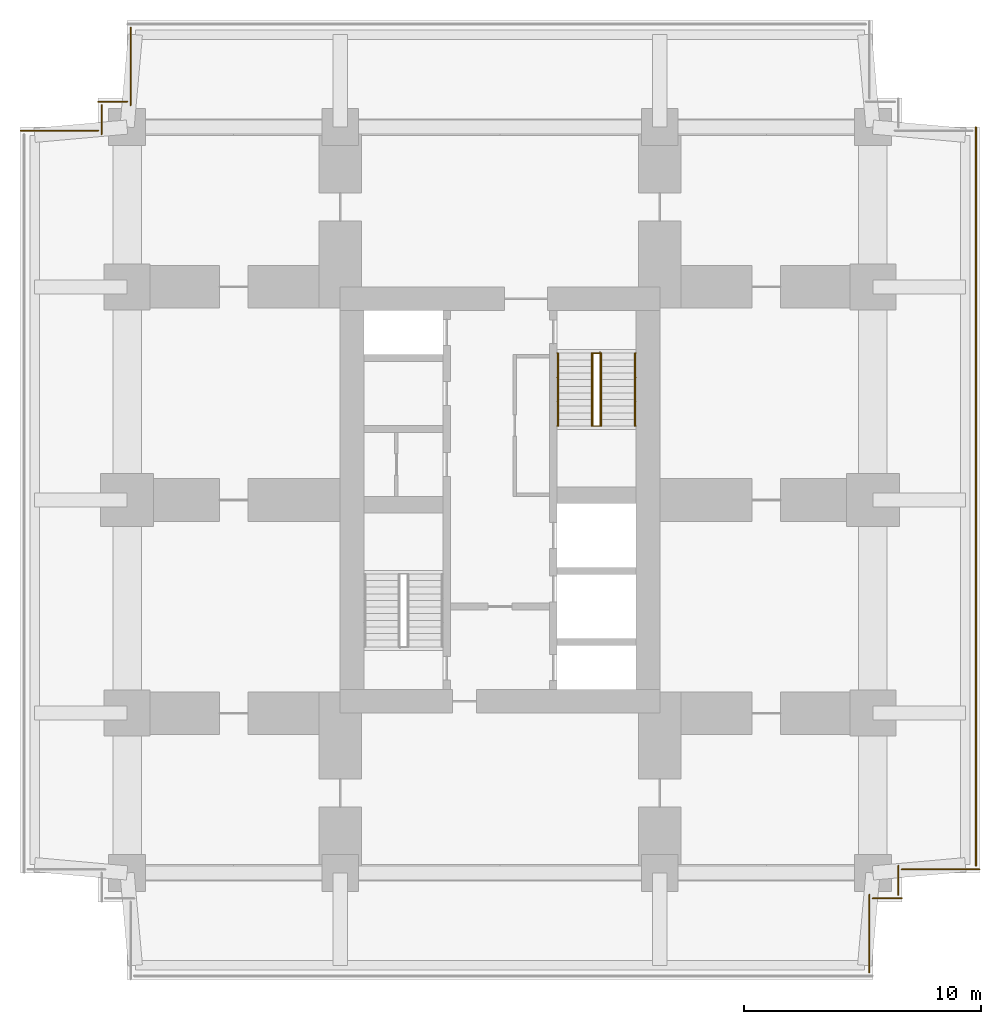
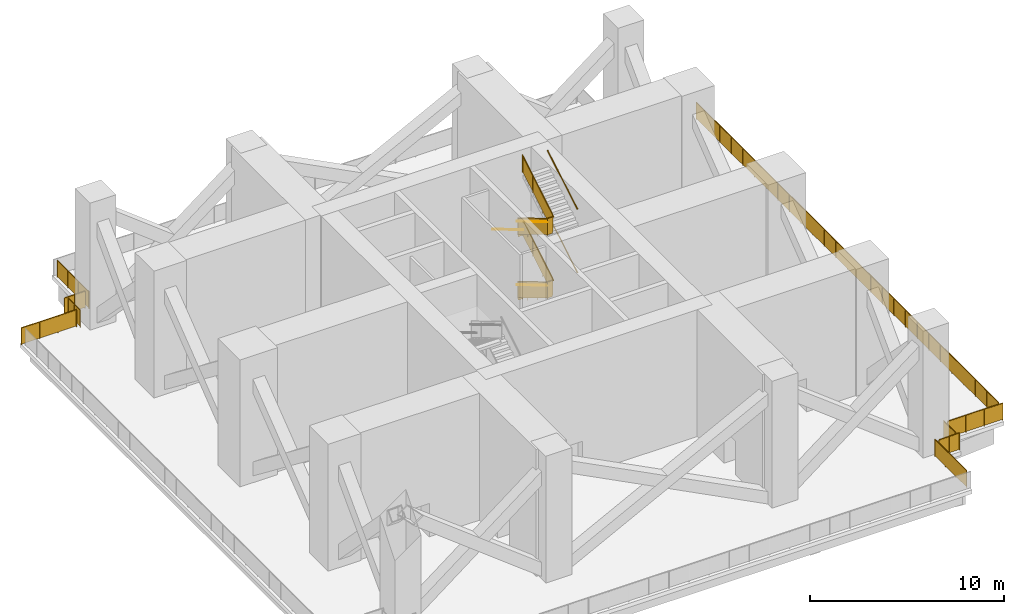
# One storey, part 5 of 6: 17 railings.
"""IFC4 building model written with IfcOpenShell, lengths in metres."""

from ifc_helpers import new_model, si_unit, direction, frame, origin, origin_2d, place, context, subcontext, project, spatial, polyline, circle, outline, extrude, material, type_object, element, save


model = new_model("IFC4")

# Units and contexts
model_context = context("Model", 3, precision=1e-05, world=origin(), true_north=direction((0.0, 1.0)))
body_context = subcontext(model_context, "Body", "Model", "MODEL_VIEW")
ifc_project = project(units=[si_unit("LENGTHUNIT", "METRE"), si_unit("AREAUNIT", "SQUARE_METRE"), si_unit("VOLUMEUNIT", "CUBIC_METRE"), si_unit("PLANEANGLEUNIT", "RADIAN"), si_unit("MASSUNIT", "GRAM", prefix="KILO")], contexts=[model_context])

# Site, building, storey
site_placement = place(None, origin())
site = spatial("IfcSite", under=ifc_project, at=site_placement, CompositionType="ELEMENT")
building_placement = place(site_placement, origin())
building = spatial("IfcBuilding", under=site, at=building_placement, Name="Namib Vertical Campus", CompositionType="ELEMENT")
storey_placement = place(building_placement, frame((0.0, 0.0, 245.0)))
storey = spatial("IfcBuildingStorey", under=building, at=storey_placement, Name="L58", CompositionType="ELEMENT", Elevation=245.0)

# Railings
ifc_material_1 = material(Name="Toughened glass balustrade", Category="glass")
railing_type_1 = type_object("IfcRailingType", Name="Edge guard 1100", PredefinedType="GUARDRAIL", material=ifc_material_1)
railing_1_placement = place(storey_placement, frame((35.85009765625, 0.300048828125, 0.0)))
element("IfcRailing", 1, at=railing_1_placement, inside=storey, type_object=railing_type_1, Name="Refuge edge guard GR2 A L58 2", PredefinedType="GUARDRAIL", context=body_context, shape_type="SweptSolid", body=[
    extrude(circle(Radius=0.02392578125, at=origin_2d()), frame((0.0, 0.0, 1.076171875), z_axis=(0.0, 1.0, 0.0), x_axis=(-1.0, 0.0, 0.0)), (0.0, 0.0, 1.0), 3.27490234375),
    extrude(outline(polyline([(0.02099609375, 0.050048828125), (3.25390625, 0.050048828125), (3.25390625, 1.052001953125), (0.02099609375, 1.052001953125), (0.02099609375, 0.050048828125)])), frame((-0.0107421875, 0.0, 0.0), z_axis=(1.0, 0.0, 0.0), x_axis=(0.0, 1.0, 0.0)), (0.0, 0.0, 1.0), 0.021484375),
    extrude(circle(Radius=0.02099609375, at=origin_2d()), origin(), (0.0, 0.0, 1.0), 1.052001953125),
    extrude(circle(Radius=0.02099609375, at=origin_2d()), frame((0.0, 1.091552734375, 0.0)), (0.0, 0.0, 1.0), 1.052001953125),
    extrude(circle(Radius=0.02099609375, at=origin_2d()), frame((0.0, 2.183349609375, 0.0)), (0.0, 0.0, 1.0), 1.052001953125),
    extrude(circle(Radius=0.02099609375, at=origin_2d()), frame((0.0, 3.27490234375, 0.0)), (0.0, 0.0, 1.0), 1.052001953125),
])
railing_2_placement = place(storey_placement, frame((36.0, 3.425048828125, 0.0)))
element("IfcRailing", 2, at=railing_2_placement, inside=storey, type_object=railing_type_1, Name="Refuge edge guard GR2 A L58 3", PredefinedType="GUARDRAIL", context=body_context, shape_type="SweptSolid", body=[
    extrude(circle(Radius=0.02392578125, at=origin_2d()), frame((0.0, 0.0, 1.076171875), z_axis=(1.0, 0.0, 0.0), x_axis=(0.0, 1.0, 0.0)), (0.0, 0.0, 1.0), 1.22509765625),
    extrude(outline(polyline([(0.02099609375, 0.050048828125), (1.2041015625, 0.050048828125), (1.2041015625, 1.052001953125), (0.02099609375, 1.052001953125), (0.02099609375, 0.050048828125)])), frame((0.0, 0.0107421875, 0.0), z_axis=(0.0, -1.0, 0.0), x_axis=(1.0, 0.0, 0.0)), (0.0, 0.0, 1.0), 0.021484375),
    extrude(circle(Radius=0.02099609375, at=origin_2d()), origin(), (0.0, 0.0, 1.0), 1.052001953125),
    extrude(circle(Radius=0.02099609375, at=origin_2d()), frame((0.612548828125, 0.0, 0.0)), (0.0, 0.0, 1.0), 1.052001953125),
    extrude(circle(Radius=0.02099609375, at=origin_2d()), frame((1.22509765625, 0.0, 0.0)), (0.0, 0.0, 1.0), 1.052001953125),
])
railing_3_placement = place(storey_placement, frame((37.074951171875, 3.574951171875, 0.0)))
element("IfcRailing", 3, at=railing_3_placement, inside=storey, type_object=railing_type_1, Name="Refuge edge guard GR2 A L58 4", PredefinedType="GUARDRAIL", context=body_context, shape_type="SweptSolid", body=[
    extrude(circle(Radius=0.02392578125, at=origin_2d()), frame((0.0, 0.0, 1.076171875), z_axis=(0.0, 1.0, 0.0), x_axis=(-1.0, 0.0, 0.0)), (0.0, 0.0, 1.0), 1.22509765625),
    extrude(outline(polyline([(0.02099609375, 0.050048828125), (1.2041015625, 0.050048828125), (1.2041015625, 1.052001953125), (0.02099609375, 1.052001953125), (0.02099609375, 0.050048828125)])), frame((-0.0107421875, 0.0, 0.0), z_axis=(1.0, 0.0, 0.0), x_axis=(0.0, 1.0, 0.0)), (0.0, 0.0, 1.0), 0.021484375),
    extrude(circle(Radius=0.02099609375, at=origin_2d()), origin(), (0.0, 0.0, 1.0), 1.052001953125),
    extrude(circle(Radius=0.02099609375, at=origin_2d()), frame((0.0, 0.612548828125, 0.0)), (0.0, 0.0, 1.0), 1.052001953125),
    extrude(circle(Radius=0.02099609375, at=origin_2d()), frame((0.0, 1.22509765625, 0.0)), (0.0, 0.0, 1.0), 1.052001953125),
])
railing_4_placement = place(storey_placement, frame((37.22509765625, 4.64990234375, 0.0)))
element("IfcRailing", 4, at=railing_4_placement, inside=storey, type_object=railing_type_1, Name="Refuge edge guard GR2 A L58 5", PredefinedType="GUARDRAIL", context=body_context, shape_type="SweptSolid", body=[
    extrude(circle(Radius=0.02392578125, at=origin_2d()), frame((0.0, 0.0, 1.076171875), z_axis=(1.0, 0.0, 0.0), x_axis=(0.0, 1.0, 0.0)), (0.0, 0.0, 1.0), 3.27490234375),
    extrude(outline(polyline([(0.02099609375, 0.050048828125), (3.25390625, 0.050048828125), (3.25390625, 1.052001953125), (0.02099609375, 1.052001953125), (0.02099609375, 0.050048828125)])), frame((0.0, 0.0107421875, 0.0), z_axis=(0.0, -1.0, 0.0), x_axis=(1.0, 0.0, 0.0)), (0.0, 0.0, 1.0), 0.021484375),
    extrude(circle(Radius=0.02099609375, at=origin_2d()), origin(), (0.0, 0.0, 1.0), 1.052001953125),
    extrude(circle(Radius=0.02099609375, at=origin_2d()), frame((1.091552734375, 0.0, 0.0)), (0.0, 0.0, 1.0), 1.052001953125),
    extrude(circle(Radius=0.02099609375, at=origin_2d()), frame((2.183349609375, 0.0, 0.0)), (0.0, 0.0, 1.0), 1.052001953125),
    extrude(circle(Radius=0.02099609375, at=origin_2d()), frame((3.27490234375, 0.0, 0.0)), (0.0, 0.0, 1.0), 1.052001953125),
])
railing_5_placement = place(storey_placement, frame((40.35009765625, 4.800048828125, 0.0)))
element("IfcRailing", 5, at=railing_5_placement, inside=storey, type_object=railing_type_1, Name="Refuge edge guard GR2 A L58 6", PredefinedType="GUARDRAIL", context=body_context, shape_type="SweptSolid", body=[
    extrude(circle(Radius=0.02392578125, at=origin_2d()), frame((0.0, 0.0, 1.076171875), z_axis=(0.0, 1.0, 0.0), x_axis=(-1.0, 0.0, 0.0)), (0.0, 0.0, 1.0), 31.199951171875),
    extrude(outline(polyline([(0.02099609375, 0.050048828125), (31.178955078125, 0.050048828125), (31.178955078125, 1.052001953125), (0.02099609375, 1.052001953125), (0.02099609375, 0.050048828125)])), frame((-0.0107421875, 0.0, 0.0), z_axis=(1.0, 0.0, 0.0), x_axis=(0.0, 1.0, 0.0)), (0.0, 0.0, 1.0), 0.021484375),
    extrude(circle(Radius=0.02099609375, at=origin_2d()), origin(), (0.0, 0.0, 1.0), 1.052001953125),
    extrude(circle(Radius=0.02099609375, at=origin_2d()), frame((0.0, 1.199951171875, 0.0)), (0.0, 0.0, 1.0), 1.052001953125),
    extrude(circle(Radius=0.02099609375, at=origin_2d()), frame((0.0, 2.39990234375, 0.0)), (0.0, 0.0, 1.0), 1.052001953125),
    extrude(circle(Radius=0.02099609375, at=origin_2d()), frame((0.0, 3.60009765625, 0.0)), (0.0, 0.0, 1.0), 1.052001953125),
    extrude(circle(Radius=0.02099609375, at=origin_2d()), frame((0.0, 4.800048828125, 0.0)), (0.0, 0.0, 1.0), 1.052001953125),
    extrude(circle(Radius=0.02099609375, at=origin_2d()), frame((0.0, 6.0, 0.0)), (0.0, 0.0, 1.0), 1.052001953125),
    extrude(circle(Radius=0.02099609375, at=origin_2d()), frame((0.0, 7.199951171875, 0.0)), (0.0, 0.0, 1.0), 1.052001953125),
    extrude(circle(Radius=0.02099609375, at=origin_2d()), frame((0.0, 8.39990234375, 0.0)), (0.0, 0.0, 1.0), 1.052001953125),
    extrude(circle(Radius=0.02099609375, at=origin_2d()), frame((0.0, 9.60009765625, 0.0)), (0.0, 0.0, 1.0), 1.052001953125),
    extrude(circle(Radius=0.02099609375, at=origin_2d()), frame((0.0, 10.800048828125, 0.0)), (0.0, 0.0, 1.0), 1.052001953125),
    extrude(circle(Radius=0.02099609375, at=origin_2d()), frame((0.0, 12.0, 0.0)), (0.0, 0.0, 1.0), 1.052001953125),
    extrude(circle(Radius=0.02099609375, at=origin_2d()), frame((0.0, 13.199951171875, 0.0)), (0.0, 0.0, 1.0), 1.052001953125),
    extrude(circle(Radius=0.02099609375, at=origin_2d()), frame((0.0, 14.39990234375, 0.0)), (0.0, 0.0, 1.0), 1.052001953125),
    extrude(circle(Radius=0.02099609375, at=origin_2d()), frame((0.0, 15.60009765625, 0.0)), (0.0, 0.0, 1.0), 1.052001953125),
    extrude(circle(Radius=0.02099609375, at=origin_2d()), frame((0.0, 16.800048828125, 0.0)), (0.0, 0.0, 1.0), 1.052001953125),
    extrude(circle(Radius=0.02099609375, at=origin_2d()), frame((0.0, 18.0, 0.0)), (0.0, 0.0, 1.0), 1.052001953125),
    extrude(circle(Radius=0.02099609375, at=origin_2d()), frame((0.0, 19.199951171875, 0.0)), (0.0, 0.0, 1.0), 1.052001953125),
    extrude(circle(Radius=0.02099609375, at=origin_2d()), frame((0.0, 20.39990234375, 0.0)), (0.0, 0.0, 1.0), 1.052001953125),
    extrude(circle(Radius=0.02099609375, at=origin_2d()), frame((0.0, 21.599853515625, 0.0)), (0.0, 0.0, 1.0), 1.052001953125),
    extrude(circle(Radius=0.02099609375, at=origin_2d()), frame((0.0, 22.800048828125, 0.0)), (0.0, 0.0, 1.0), 1.052001953125),
    extrude(circle(Radius=0.02099609375, at=origin_2d()), frame((0.0, 24.0, 0.0)), (0.0, 0.0, 1.0), 1.052001953125),
    extrude(circle(Radius=0.02099609375, at=origin_2d()), frame((0.0, 25.199951171875, 0.0)), (0.0, 0.0, 1.0), 1.052001953125),
    extrude(circle(Radius=0.02099609375, at=origin_2d()), frame((0.0, 26.39990234375, 0.0)), (0.0, 0.0, 1.0), 1.052001953125),
    extrude(circle(Radius=0.02099609375, at=origin_2d()), frame((0.0, 27.599853515625, 0.0)), (0.0, 0.0, 1.0), 1.052001953125),
    extrude(circle(Radius=0.02099609375, at=origin_2d()), frame((0.0, 28.800048828125, 0.0)), (0.0, 0.0, 1.0), 1.052001953125),
    extrude(circle(Radius=0.02099609375, at=origin_2d()), frame((0.0, 30.0, 0.0)), (0.0, 0.0, 1.0), 1.052001953125),
    extrude(circle(Radius=0.02099609375, at=origin_2d()), frame((0.0, 31.199951171875, 0.0)), (0.0, 0.0, 1.0), 1.052001953125),
])
railing_6_placement = place(storey_placement, frame((4.64990234375, 40.199951171875, 0.0)))
element("IfcRailing", 6, at=railing_6_placement, inside=storey, type_object=railing_type_1, Name="Refuge edge guard GR2 A L58 12", PredefinedType="GUARDRAIL", context=body_context, shape_type="SweptSolid", body=[
    extrude(circle(Radius=0.02392578125, at=origin_2d()), frame((0.0, 0.0, 1.076171875), z_axis=(0.0, -1.0, 0.0), x_axis=(1.0, 0.0, 0.0)), (0.0, 0.0, 1.0), 3.27490234375),
    extrude(outline(polyline([(0.02099609375, 0.050048828125), (3.25390625, 0.050048828125), (3.25390625, 1.052001953125), (0.02099609375, 1.052001953125), (0.02099609375, 0.050048828125)])), frame((0.0107421875, 0.0, 0.0), z_axis=(-1.0, 0.0, 0.0), x_axis=(0.0, -1.0, 0.0)), (0.0, 0.0, 1.0), 0.021484375),
    extrude(circle(Radius=0.02099609375, at=origin_2d()), origin(), (0.0, 0.0, 1.0), 1.052001953125),
    extrude(circle(Radius=0.02099609375, at=origin_2d()), frame((0.0, -1.091552734375, 0.0)), (0.0, 0.0, 1.0), 1.052001953125),
    extrude(circle(Radius=0.02099609375, at=origin_2d()), frame((0.0, -2.183349609375, 0.0)), (0.0, 0.0, 1.0), 1.052001953125),
    extrude(circle(Radius=0.02099609375, at=origin_2d()), frame((0.0, -3.27490234375, 0.0)), (0.0, 0.0, 1.0), 1.052001953125),
])
railing_7_placement = place(storey_placement, frame((4.5, 37.074951171875, 0.0)))
element("IfcRailing", 7, at=railing_7_placement, inside=storey, type_object=railing_type_1, Name="Refuge edge guard GR2 A L58 13", PredefinedType="GUARDRAIL", context=body_context, shape_type="SweptSolid", body=[
    extrude(circle(Radius=0.02392578125, at=origin_2d()), frame((0.0, 0.0, 1.076171875), z_axis=(-1.0, 0.0, 0.0), x_axis=(0.0, -1.0, 0.0)), (0.0, 0.0, 1.0), 1.22509765625),
    extrude(outline(polyline([(0.02099609375, 0.050048828125), (1.2041015625, 0.050048828125), (1.2041015625, 1.052001953125), (0.02099609375, 1.052001953125), (0.02099609375, 0.050048828125)])), frame((0.0, -0.0107421875, 0.0), z_axis=(0.0, 1.0, 0.0), x_axis=(-1.0, 0.0, 0.0)), (0.0, 0.0, 1.0), 0.021484375),
    extrude(circle(Radius=0.02099609375, at=origin_2d()), origin(), (0.0, 0.0, 1.0), 1.052001953125),
    extrude(circle(Radius=0.02099609375, at=origin_2d()), frame((-0.612548828125, 0.0, 0.0)), (0.0, 0.0, 1.0), 1.052001953125),
    extrude(circle(Radius=0.02099609375, at=origin_2d()), frame((-1.22509765625, 0.0, 0.0)), (0.0, 0.0, 1.0), 1.052001953125),
])
railing_8_placement = place(storey_placement, frame((3.425048828125, 36.925048828125, 0.0)))
element("IfcRailing", 8, at=railing_8_placement, inside=storey, type_object=railing_type_1, Name="Refuge edge guard GR2 A L58 14", PredefinedType="GUARDRAIL", context=body_context, shape_type="SweptSolid", body=[
    extrude(circle(Radius=0.02392578125, at=origin_2d()), frame((0.0, 0.0, 1.076171875), z_axis=(0.0, -1.0, 0.0), x_axis=(1.0, 0.0, 0.0)), (0.0, 0.0, 1.0), 1.22509765625),
    extrude(outline(polyline([(0.02099609375, 0.050048828125), (1.2041015625, 0.050048828125), (1.2041015625, 1.052001953125), (0.02099609375, 1.052001953125), (0.02099609375, 0.050048828125)])), frame((0.0107421875, 0.0, 0.0), z_axis=(-1.0, 0.0, 0.0), x_axis=(0.0, -1.0, 0.0)), (0.0, 0.0, 1.0), 0.021484375),
    extrude(circle(Radius=0.02099609375, at=origin_2d()), origin(), (0.0, 0.0, 1.0), 1.052001953125),
    extrude(circle(Radius=0.02099609375, at=origin_2d()), frame((0.0, -0.612548828125, 0.0)), (0.0, 0.0, 1.0), 1.052001953125),
    extrude(circle(Radius=0.02099609375, at=origin_2d()), frame((0.0, -1.22509765625, 0.0)), (0.0, 0.0, 1.0), 1.052001953125),
])
railing_9_placement = place(storey_placement, frame((3.27490234375, 35.85009765625, 0.0)))
element("IfcRailing", 9, at=railing_9_placement, inside=storey, type_object=railing_type_1, Name="Refuge edge guard GR2 A L58 15", PredefinedType="GUARDRAIL", context=body_context, shape_type="SweptSolid", body=[
    extrude(circle(Radius=0.02392578125, at=origin_2d()), frame((0.0, 0.0, 1.076171875), z_axis=(-1.0, 0.0, 0.0), x_axis=(0.0, -1.0, 0.0)), (0.0, 0.0, 1.0), 3.27490234375),
    extrude(outline(polyline([(0.02099609375, 0.050048828125), (3.25390625, 0.050048828125), (3.25390625, 1.052001953125), (0.02099609375, 1.052001953125), (0.02099609375, 0.050048828125)])), frame((0.0, -0.0107421875, 0.0), z_axis=(0.0, 1.0, 0.0), x_axis=(-1.0, 0.0, 0.0)), (0.0, 0.0, 1.0), 0.021484375),
    extrude(circle(Radius=0.02099609375, at=origin_2d()), origin(), (0.0, 0.0, 1.0), 1.052001953125),
    extrude(circle(Radius=0.02099609375, at=origin_2d()), frame((-1.091552734375, 0.0, 0.0)), (0.0, 0.0, 1.0), 1.052001953125),
    extrude(circle(Radius=0.02099609375, at=origin_2d()), frame((-2.183349609375, 0.0, 0.0)), (0.0, 0.0, 1.0), 1.052001953125),
    extrude(circle(Radius=0.02099609375, at=origin_2d()), frame((-3.27490234375, 0.0, 0.0)), (0.0, 0.0, 1.0), 1.052001953125),
])
ifc_material_2 = material(Name="Steel handrail", Category="steel")
railing_type_2 = type_object("IfcRailingType", Name="Handrail 900", PredefinedType="HANDRAIL", material=ifc_material_2)
railing_10_placement = place(storey_placement, frame((25.949951171875, 23.3701171875, 2.166748046875)))
element("IfcRailing", 10, at=railing_10_placement, inside=storey, type_object=railing_type_2, Name="Handrail HR1 A-S2 L58 2", PredefinedType="HANDRAIL", context=body_context, shape_type="SweptSolid", body=[
    extrude(circle(Radius=0.02392578125, at=origin_2d()), frame((0.0, 0.0, 0.8759765625), z_axis=(0.0, 0.859290745958, 0.51148745235), x_axis=(-1.0, 0.0, 0.0)), (0.0, 0.0, 1.0), 3.584228515625),
    extrude(circle(Radius=0.008056640625, at=origin_2d()), frame((0.0, 0.0, 0.8759765625), z_axis=(1.0, 0.0, 0.0), x_axis=(0.0, 0.0, 1.0)), (0.0, 0.0, 1.0), 0.050048828125),
    extrude(circle(Radius=0.008056640625, at=origin_2d()), frame((0.0, 1.026611328125, 1.48681640625), z_axis=(1.0, 0.0, 0.0), x_axis=(0.0, 0.0, 1.0)), (0.0, 0.0, 1.0), 0.050048828125),
    extrude(circle(Radius=0.008056640625, at=origin_2d()), frame((0.0, 2.05322265625, 2.09814453125), z_axis=(1.0, 0.0, 0.0), x_axis=(0.0, 0.0, 1.0)), (0.0, 0.0, 1.0), 0.050048828125),
    extrude(circle(Radius=0.008056640625, at=origin_2d()), frame((0.0, 3.079833984375, 2.708984375), z_axis=(1.0, 0.0, 0.0), x_axis=(0.0, 0.0, 1.0)), (0.0, 0.0, 1.0), 0.050048828125),
])
railing_11_placement = place(storey_placement, frame((22.699951171875, 26.449951171875, 4.166748046875)))
element("IfcRailing", 11, at=railing_11_placement, inside=storey, type_object=railing_type_2, Name="Handrail HR1 A-S2 L58 3", PredefinedType="HANDRAIL", context=body_context, shape_type="SweptSolid", body=[
    extrude(circle(Radius=0.02392578125, at=origin_2d()), frame((0.0, 0.0, 0.8759765625), z_axis=(0.0, -0.859290745958, 0.51148745235), x_axis=(1.0, 0.0, 0.0)), (0.0, 0.0, 1.0), 3.584228515625),
    extrude(circle(Radius=0.008056640625, at=origin_2d()), frame((0.0, 0.0, 0.8759765625), z_axis=(-1.0, 0.0, 0.0), x_axis=(0.0, 0.0, 1.0)), (0.0, 0.0, 1.0), 0.050048828125),
    extrude(circle(Radius=0.008056640625, at=origin_2d()), frame((0.0, -1.026611328125, 1.48681640625), z_axis=(-1.0, 0.0, 0.0), x_axis=(0.0, 0.0, 1.0)), (0.0, 0.0, 1.0), 0.050048828125),
    extrude(circle(Radius=0.008056640625, at=origin_2d()), frame((0.0, -2.05322265625, 2.09814453125), z_axis=(-1.0, 0.0, 0.0), x_axis=(0.0, 0.0, 1.0)), (0.0, 0.0, 1.0), 0.050048828125),
    extrude(circle(Radius=0.008056640625, at=origin_2d()), frame((0.0, -3.079833984375, 2.708984375), z_axis=(-1.0, 0.0, 0.0), x_axis=(0.0, 0.0, 1.0)), (0.0, 0.0, 1.0), 0.050048828125),
])
railing_12_placement = place(storey_placement, frame((25.949951171875, 23.3701171875, 6.166748046875)))
element("IfcRailing", 12, at=railing_12_placement, inside=storey, type_object=railing_type_2, Name="Handrail HR1 A-S2 L58 4", PredefinedType="HANDRAIL", context=body_context, shape_type="SweptSolid", body=[
    extrude(circle(Radius=0.02392578125, at=origin_2d()), frame((0.0, 0.0, 0.8759765625), z_axis=(0.0, 0.859290745958, 0.51148745235), x_axis=(-1.0, 0.0, 0.0)), (0.0, 0.0, 1.0), 3.584228515625),
    extrude(circle(Radius=0.008056640625, at=origin_2d()), frame((0.0, 0.0, 0.8759765625), z_axis=(1.0, 0.0, 0.0), x_axis=(0.0, 0.0, 1.0)), (0.0, 0.0, 1.0), 0.050048828125),
    extrude(circle(Radius=0.008056640625, at=origin_2d()), frame((0.0, 1.026611328125, 1.48681640625), z_axis=(1.0, 0.0, 0.0), x_axis=(0.0, 0.0, 1.0)), (0.0, 0.0, 1.0), 0.050048828125),
    extrude(circle(Radius=0.008056640625, at=origin_2d()), frame((0.0, 2.05322265625, 2.09814453125), z_axis=(1.0, 0.0, 0.0), x_axis=(0.0, 0.0, 1.0)), (0.0, 0.0, 1.0), 0.050048828125),
    extrude(circle(Radius=0.008056640625, at=origin_2d()), frame((0.0, 3.079833984375, 2.708984375), z_axis=(1.0, 0.0, 0.0), x_axis=(0.0, 0.0, 1.0)), (0.0, 0.0, 1.0), 0.050048828125),
])
railing_13_placement = place(storey_placement, frame((24.125, 26.449951171875, 0.166748046875)))
element("IfcRailing", 13, at=railing_13_placement, inside=storey, type_object=railing_type_2, Name="Handrail HR1 A-S2 L58 1 at the well", PredefinedType="HANDRAIL", context=body_context, shape_type="SweptSolid", body=[
    extrude(circle(Radius=0.02392578125, at=origin_2d()), frame((0.0, 0.0, 0.8759765625), z_axis=(0.0, -0.859290745958, 0.51148745235), x_axis=(1.0, 0.0, 0.0)), (0.0, 0.0, 1.0), 3.584228515625),
    extrude(circle(Radius=0.008056640625, at=origin_2d()), frame((0.0, 0.0, 0.8759765625), z_axis=(1.0, 0.0, 0.0), x_axis=(0.0, 0.0, 1.0)), (0.0, 0.0, 1.0), 0.0400390625),
    extrude(circle(Radius=0.008056640625, at=origin_2d()), frame((0.0, -1.026611328125, 1.48681640625), z_axis=(1.0, 0.0, 0.0), x_axis=(0.0, 0.0, 1.0)), (0.0, 0.0, 1.0), 0.0400390625),
    extrude(circle(Radius=0.008056640625, at=origin_2d()), frame((0.0, -2.05322265625, 2.09814453125), z_axis=(1.0, 0.0, 0.0), x_axis=(0.0, 0.0, 1.0)), (0.0, 0.0, 1.0), 0.0400390625),
    extrude(circle(Radius=0.008056640625, at=origin_2d()), frame((0.0, -3.079833984375, 2.708984375), z_axis=(1.0, 0.0, 0.0), x_axis=(0.0, 0.0, 1.0)), (0.0, 0.0, 1.0), 0.0400390625),
])
railing_14_placement = place(storey_placement, frame((24.52490234375, 23.3701171875, 2.166748046875)))
element("IfcRailing", 14, at=railing_14_placement, inside=storey, type_object=railing_type_2, Name="Handrail HR1 A-S2 L58 2 at the well", PredefinedType="HANDRAIL", context=body_context, shape_type="SweptSolid", body=[
    extrude(circle(Radius=0.02392578125, at=origin_2d()), frame((0.0, 0.0, 0.8759765625), z_axis=(0.0, 0.859290745958, 0.51148745235), x_axis=(-1.0, 0.0, 0.0)), (0.0, 0.0, 1.0), 3.584228515625),
    extrude(circle(Radius=0.008056640625, at=origin_2d()), frame((0.0, 0.0, 0.8759765625), z_axis=(-1.0, 0.0, 0.0), x_axis=(0.0, 0.0, 1.0)), (0.0, 0.0, 1.0), 0.0400390625),
    extrude(circle(Radius=0.008056640625, at=origin_2d()), frame((0.0, 1.026611328125, 1.48681640625), z_axis=(-1.0, 0.0, 0.0), x_axis=(0.0, 0.0, 1.0)), (0.0, 0.0, 1.0), 0.0400390625),
    extrude(circle(Radius=0.008056640625, at=origin_2d()), frame((0.0, 2.05322265625, 2.09814453125), z_axis=(-1.0, 0.0, 0.0), x_axis=(0.0, 0.0, 1.0)), (0.0, 0.0, 1.0), 0.0400390625),
    extrude(circle(Radius=0.008056640625, at=origin_2d()), frame((0.0, 3.079833984375, 2.708984375), z_axis=(-1.0, 0.0, 0.0), x_axis=(0.0, 0.0, 1.0)), (0.0, 0.0, 1.0), 0.0400390625),
])
railing_15_placement = place(storey_placement, frame((24.125, 26.449951171875, 4.166748046875)))
element("IfcRailing", 15, at=railing_15_placement, inside=storey, type_object=railing_type_2, Name="Handrail HR1 A-S2 L58 3 at the well", PredefinedType="HANDRAIL", context=body_context, shape_type="SweptSolid", body=[
    extrude(circle(Radius=0.02392578125, at=origin_2d()), frame((0.0, 0.0, 0.8759765625), z_axis=(0.0, -0.859290745958, 0.51148745235), x_axis=(1.0, 0.0, 0.0)), (0.0, 0.0, 1.0), 3.584228515625),
    extrude(circle(Radius=0.008056640625, at=origin_2d()), frame((0.0, 0.0, 0.8759765625), z_axis=(1.0, 0.0, 0.0), x_axis=(0.0, 0.0, 1.0)), (0.0, 0.0, 1.0), 0.0400390625),
    extrude(circle(Radius=0.008056640625, at=origin_2d()), frame((0.0, -1.026611328125, 1.48681640625), z_axis=(1.0, 0.0, 0.0), x_axis=(0.0, 0.0, 1.0)), (0.0, 0.0, 1.0), 0.0400390625),
    extrude(circle(Radius=0.008056640625, at=origin_2d()), frame((0.0, -2.05322265625, 2.09814453125), z_axis=(1.0, 0.0, 0.0), x_axis=(0.0, 0.0, 1.0)), (0.0, 0.0, 1.0), 0.0400390625),
    extrude(circle(Radius=0.008056640625, at=origin_2d()), frame((0.0, -3.079833984375, 2.708984375), z_axis=(1.0, 0.0, 0.0), x_axis=(0.0, 0.0, 1.0)), (0.0, 0.0, 1.0), 0.0400390625),
])
railing_16_placement = place(storey_placement, frame((24.52490234375, 23.3701171875, 6.166748046875)))
element("IfcRailing", 16, at=railing_16_placement, inside=storey, type_object=railing_type_2, Name="Handrail HR1 A-S2 L58 4 at the well", PredefinedType="HANDRAIL", context=body_context, shape_type="SweptSolid", body=[
    extrude(circle(Radius=0.02392578125, at=origin_2d()), frame((0.0, 0.0, 0.8759765625), z_axis=(0.0, 0.859290745958, 0.51148745235), x_axis=(-1.0, 0.0, 0.0)), (0.0, 0.0, 1.0), 3.584228515625),
    extrude(circle(Radius=0.008056640625, at=origin_2d()), frame((0.0, 0.0, 0.8759765625), z_axis=(-1.0, 0.0, 0.0), x_axis=(0.0, 0.0, 1.0)), (0.0, 0.0, 1.0), 0.0400390625),
    extrude(circle(Radius=0.008056640625, at=origin_2d()), frame((0.0, 1.026611328125, 1.48681640625), z_axis=(-1.0, 0.0, 0.0), x_axis=(0.0, 0.0, 1.0)), (0.0, 0.0, 1.0), 0.0400390625),
    extrude(circle(Radius=0.008056640625, at=origin_2d()), frame((0.0, 2.05322265625, 2.09814453125), z_axis=(-1.0, 0.0, 0.0), x_axis=(0.0, 0.0, 1.0)), (0.0, 0.0, 1.0), 0.0400390625),
    extrude(circle(Radius=0.008056640625, at=origin_2d()), frame((0.0, 3.079833984375, 2.708984375), z_axis=(-1.0, 0.0, 0.0), x_axis=(0.0, 0.0, 1.0)), (0.0, 0.0, 1.0), 0.0400390625),
])
ifc_material_3 = material(Name="Steel balustrade", Category="steel")
railing_type_3 = type_object("IfcRailingType", Name="Stair guard 1100", PredefinedType="GUARDRAIL", material=ifc_material_3)
railing_17_placement = place(storey_placement, frame((24.47509765625, 26.449951171875, 0.0)))
element("IfcRailing", 17, at=railing_17_placement, inside=storey, type_object=railing_type_3, Name="Stair guard GR1 A-S2 L58", PredefinedType="GUARDRAIL", context=body_context, shape_type="SweptSolid", body=[
    extrude(circle(Radius=0.02392578125, at=origin_2d()), frame((0.0, 0.0, 1.076171875), z_axis=(-1.0, 0.0, 0.0), x_axis=(0.0, -1.0, 0.0)), (0.0, 0.0, 1.0), 0.300048828125),
    extrude(outline(polyline([(0.02099609375, 0.050048828125), (0.279052734375, 0.050048828125), (0.279052734375, 1.052001953125), (0.02099609375, 1.052001953125), (0.02099609375, 0.050048828125)])), frame((0.0, -0.010009765625, 0.0), z_axis=(0.0, 1.0, 0.0), x_axis=(-1.0, 0.0, 0.0)), (0.0, 0.0, 1.0), 0.02001953125),
    extrude(circle(Radius=0.02392578125, at=origin_2d()), frame((-0.300048828125, 0.0, 1.076171875), z_axis=(0.0, 0.0, 1.0), x_axis=(1.0, 0.0, 0.0)), (0.0, 0.0, 1.0), 0.166748046875),
    extrude(circle(Radius=0.02392578125, at=origin_2d()), frame((-0.300048828125, 0.0, 1.24267578125), z_axis=(0.0, -0.859290745958, 0.51148745235), x_axis=(1.0, 0.0, 0.0)), (0.0, 0.0, 1.0), 3.584228515625),
    extrude(outline(polyline([(0.02099609375, 0.0625), (3.058837890625, 1.870849609375), (3.058837890625, 2.872802734375), (0.02099609375, 1.064453125), (0.02099609375, 0.0625)])), frame((-0.2900390625, 0.0, 0.166748046875), z_axis=(-1.0, 0.0, 0.0), x_axis=(0.0, -1.0, 0.0)), (0.0, 0.0, 1.0), 0.02001953125),
    extrude(circle(Radius=0.02392578125, at=origin_2d()), frame((-0.300048828125, -3.079833984375, 3.076171875), z_axis=(1.0, 0.0, 0.0), x_axis=(0.0, 1.0, 0.0)), (0.0, 0.0, 1.0), 0.300048828125),
    extrude(outline(polyline([(0.02099609375, 0.050048828125), (0.279052734375, 0.050048828125), (0.279052734375, 1.052001953125), (0.02099609375, 1.052001953125), (0.02099609375, 0.050048828125)])), frame((-0.300048828125, -3.06982421875, 2.0), z_axis=(0.0, -1.0, 0.0), x_axis=(1.0, 0.0, 0.0)), (0.0, 0.0, 1.0), 0.02001953125),
    extrude(circle(Radius=0.02392578125, at=origin_2d()), frame((0.0, -3.079833984375, 3.076171875), z_axis=(0.0, 0.0, 1.0), x_axis=(1.0, 0.0, 0.0)), (0.0, 0.0, 1.0), 0.166748046875),
    extrude(circle(Radius=0.02392578125, at=origin_2d()), frame((0.0, -3.079833984375, 3.24267578125), z_axis=(0.0, 0.859290745958, 0.51148745235), x_axis=(-1.0, 0.0, 0.0)), (0.0, 0.0, 1.0), 3.584228515625),
    extrude(outline(polyline([(0.02099609375, 0.0625), (3.058837890625, 1.870849609375), (3.058837890625, 2.872802734375), (0.02099609375, 1.064453125), (0.02099609375, 0.0625)])), frame((-0.010009765625, -3.079833984375, 2.166748046875), z_axis=(1.0, 0.0, 0.0), x_axis=(0.0, 1.0, 0.0)), (0.0, 0.0, 1.0), 0.02001953125),
    extrude(circle(Radius=0.02392578125, at=origin_2d()), frame((0.0, 0.0, 5.076171875), z_axis=(-1.0, 0.0, 0.0), x_axis=(0.0, -1.0, 0.0)), (0.0, 0.0, 1.0), 0.300048828125),
    extrude(outline(polyline([(0.02099609375, 0.050048828125), (0.279052734375, 0.050048828125), (0.279052734375, 1.052001953125), (0.02099609375, 1.052001953125), (0.02099609375, 0.050048828125)])), frame((0.0, -0.010009765625, 4.0), z_axis=(0.0, 1.0, 0.0), x_axis=(-1.0, 0.0, 0.0)), (0.0, 0.0, 1.0), 0.02001953125),
    extrude(circle(Radius=0.02392578125, at=origin_2d()), frame((-0.300048828125, 0.0, 5.076171875), z_axis=(0.0, 0.0, 1.0), x_axis=(1.0, 0.0, 0.0)), (0.0, 0.0, 1.0), 0.166748046875),
    extrude(circle(Radius=0.02392578125, at=origin_2d()), frame((-0.300048828125, 0.0, 5.24267578125), z_axis=(0.0, -0.859290745958, 0.51148745235), x_axis=(1.0, 0.0, 0.0)), (0.0, 0.0, 1.0), 3.584228515625),
    extrude(outline(polyline([(0.02099609375, 0.0625), (3.058837890625, 1.870849609375), (3.058837890625, 2.872802734375), (0.02099609375, 1.064453125), (0.02099609375, 0.0625)])), frame((-0.2900390625, 0.0, 4.166748046875), z_axis=(-1.0, 0.0, 0.0), x_axis=(0.0, -1.0, 0.0)), (0.0, 0.0, 1.0), 0.02001953125),
    extrude(circle(Radius=0.02392578125, at=origin_2d()), frame((-0.300048828125, -3.079833984375, 7.076171875), z_axis=(1.0, 0.0, 0.0), x_axis=(0.0, 1.0, 0.0)), (0.0, 0.0, 1.0), 0.300048828125),
    extrude(outline(polyline([(0.02099609375, 0.050048828125), (0.279052734375, 0.050048828125), (0.279052734375, 1.052001953125), (0.02099609375, 1.052001953125), (0.02099609375, 0.050048828125)])), frame((-0.300048828125, -3.06982421875, 6.0), z_axis=(0.0, -1.0, 0.0), x_axis=(1.0, 0.0, 0.0)), (0.0, 0.0, 1.0), 0.02001953125),
    extrude(circle(Radius=0.02392578125, at=origin_2d()), frame((0.0, -3.079833984375, 7.076171875), z_axis=(0.0, 0.0, 1.0), x_axis=(1.0, 0.0, 0.0)), (0.0, 0.0, 1.0), 0.166748046875),
    extrude(circle(Radius=0.02392578125, at=origin_2d()), frame((0.0, -3.079833984375, 7.24267578125), z_axis=(0.0, 0.859290745958, 0.51148745235), x_axis=(-1.0, 0.0, 0.0)), (0.0, 0.0, 1.0), 3.584228515625),
    extrude(outline(polyline([(0.02099609375, 0.0625), (3.058837890625, 1.870849609375), (3.058837890625, 2.872802734375), (0.02099609375, 1.064453125), (0.02099609375, 0.0625)])), frame((-0.010009765625, -3.079833984375, 6.166748046875), z_axis=(1.0, 0.0, 0.0), x_axis=(0.0, 1.0, 0.0)), (0.0, 0.0, 1.0), 0.02001953125),
    extrude(circle(Radius=0.02392578125, at=origin_2d()), frame((0.0, 0.0, 9.076171875), z_axis=(0.0, 1.0, 0.0), x_axis=(-1.0, 0.0, 0.0)), (0.0, 0.0, 1.0), 0.050048828125),
    extrude(outline(polyline([(0.02099609375, 0.050048828125), (0.029052734375, 0.050048828125), (0.029052734375, 1.052001953125), (0.02099609375, 1.052001953125), (0.02099609375, 0.050048828125)])), frame((-0.010009765625, 0.0, 8.0), z_axis=(1.0, 0.0, 0.0), x_axis=(0.0, 1.0, 0.0)), (0.0, 0.0, 1.0), 0.02001953125),
    extrude(circle(Radius=0.02099609375, at=origin_2d()), origin(), (0.0, 0.0, 1.0), 1.052001953125),
    extrude(circle(Radius=0.02099609375, at=origin_2d()), frame((-0.300048828125, 0.0, 0.166748046875)), (0.0, 0.0, 1.0), 1.052001953125),
    extrude(circle(Radius=0.02099609375, at=origin_2d()), frame((-0.300048828125, -1.026611328125, 0.666748046875)), (0.0, 0.0, 1.0), 1.1630859375),
    extrude(circle(Radius=0.02099609375, at=origin_2d()), frame((-0.300048828125, -2.05322265625, 1.33349609375)), (0.0, 0.0, 1.0), 1.107421875),
    extrude(circle(Radius=0.02099609375, at=origin_2d()), frame((-0.300048828125, -3.079833984375, 2.0)), (0.0, 0.0, 1.0), 1.052001953125),
    extrude(circle(Radius=0.02099609375, at=origin_2d()), frame((0.0, -3.079833984375, 2.166748046875)), (0.0, 0.0, 1.0), 1.052001953125),
    extrude(circle(Radius=0.02099609375, at=origin_2d()), frame((0.0, -2.05322265625, 2.666748046875)), (0.0, 0.0, 1.0), 1.1630859375),
    extrude(circle(Radius=0.02099609375, at=origin_2d()), frame((0.0, -1.026611328125, 3.33349609375)), (0.0, 0.0, 1.0), 1.107421875),
    extrude(circle(Radius=0.02099609375, at=origin_2d()), frame((0.0, 0.0, 4.0)), (0.0, 0.0, 1.0), 1.052001953125),
    extrude(circle(Radius=0.02099609375, at=origin_2d()), frame((-0.300048828125, 0.0, 4.166748046875)), (0.0, 0.0, 1.0), 1.052001953125),
    extrude(circle(Radius=0.02099609375, at=origin_2d()), frame((-0.300048828125, -1.026611328125, 4.666748046875)), (0.0, 0.0, 1.0), 1.1630859375),
    extrude(circle(Radius=0.02099609375, at=origin_2d()), frame((-0.300048828125, -2.05322265625, 5.33349609375)), (0.0, 0.0, 1.0), 1.107421875),
    extrude(circle(Radius=0.02099609375, at=origin_2d()), frame((-0.300048828125, -3.079833984375, 6.0)), (0.0, 0.0, 1.0), 1.052001953125),
    extrude(circle(Radius=0.02099609375, at=origin_2d()), frame((0.0, -3.079833984375, 6.166748046875)), (0.0, 0.0, 1.0), 1.052001953125),
    extrude(circle(Radius=0.02099609375, at=origin_2d()), frame((0.0, -2.05322265625, 6.666748046875)), (0.0, 0.0, 1.0), 1.1630859375),
    extrude(circle(Radius=0.02099609375, at=origin_2d()), frame((0.0, -1.026611328125, 7.33349609375)), (0.0, 0.0, 1.0), 1.107421875),
    extrude(circle(Radius=0.02099609375, at=origin_2d()), frame((0.0, 0.0, 8.0)), (0.0, 0.0, 1.0), 1.052001953125),
    extrude(circle(Radius=0.02099609375, at=origin_2d()), frame((0.0, 0.050048828125, 8.0)), (0.0, 0.0, 1.0), 1.052001953125),
])

save(model, "model.ifc")
